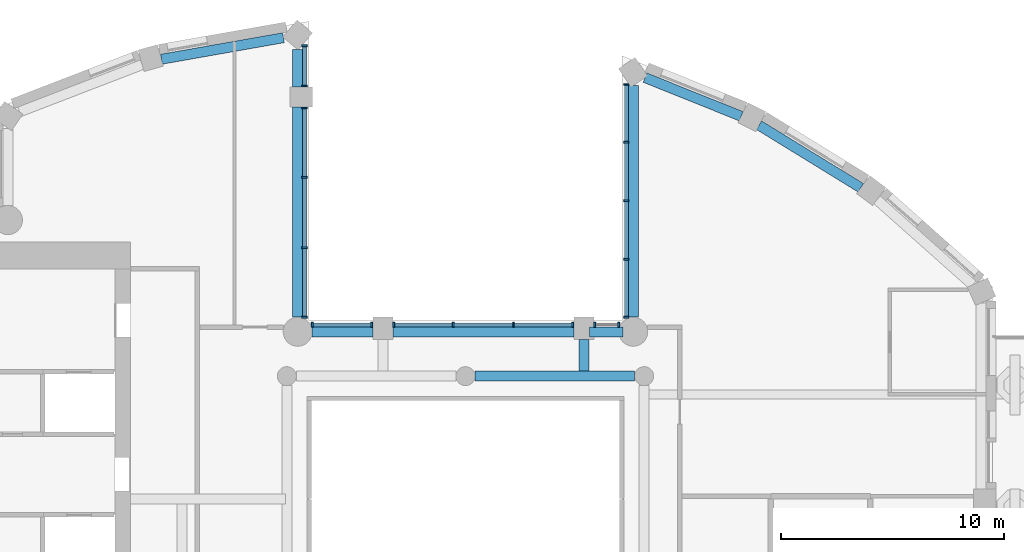
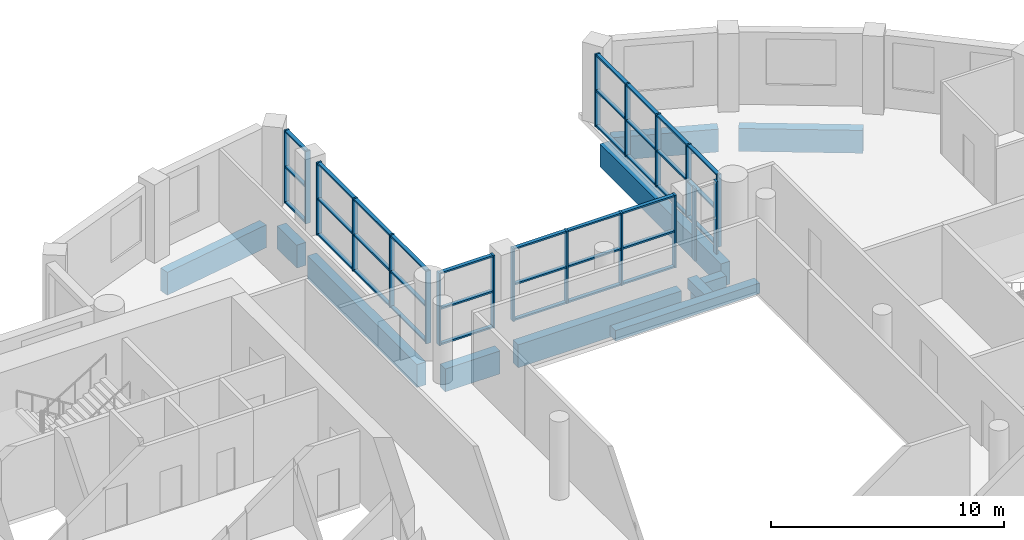
# One storey, part 2 of 15: 55 members, 11 beams, 6 elements without a shape of their own.
"""IFC4 building model written with IfcOpenShell, lengths in metres."""

import ifcopenshell
import ifcopenshell.guid

model = None  # the IFC model being written
_history = None  # IfcOwnerHistory: only IFC2X3 demands one
_inside = {}  # id of a spatial element -> (the spatial element, [elements in it])
_under = {}  # id of a project, library or spatial element -> (it, [spatial elements below it])
_declared = {}  # id of a project -> (the project, [libraries it declares])
_typed = {}  # id of a type object -> (the type object, [elements of that type])
_made_of = {}  # id of a material, layer set ... -> (it, [elements and type objects made of it])


def new_model(schema):
    """Start an empty IFC model of exactly this schema.

    Asked for "IFC4X3", IfcOpenShell would pick the latest addendum, in which some entities
    have other attributes; the version numbers below select the first issue.
    IFC2X3 requires an IfcOwnerHistory on every rooted entity: one is made here for all.
    """
    global model, _history
    if schema == "IFC4X3":
        model = ifcopenshell.file(schema_version=(4, 3, 0, 0))
    else:
        model = ifcopenshell.file(schema=schema)
    _inside.clear()
    _under.clear()
    _declared.clear()
    _typed.clear()
    _made_of.clear()
    _history = None
    if model.schema == "IFC2X3":
        org = make("IfcOrganization", Name="unknown")
        user = make(
            "IfcPersonAndOrganization",
            ThePerson=make("IfcPerson", FamilyName="unknown"),
            TheOrganization=org,
        )
        app = make(
            "IfcApplication",
            ApplicationDeveloper=org,
            Version="unknown",
            ApplicationFullName="unknown",
            ApplicationIdentifier="unknown",
        )
        _history = make(
            "IfcOwnerHistory",
            OwningUser=user,
            OwningApplication=app,
            ChangeAction="ADDED",
            CreationDate=0,
        )
    return model


def make(cls, **values):
    """One entity of the class cls with the attributes given. An attribute that is None is left unset."""
    return model.create_entity(
        cls, **{name: value for name, value in values.items() if value is not None}
    )


def rooted(cls, **values):
    """An entity with a GlobalId (a new one), such as an element, a storey or a relation."""
    return make(cls, GlobalId=ifcopenshell.guid.new(), OwnerHistory=_history, **values)


def si_unit(unit_type, name, prefix=None):
    """IfcSIUnit, for example si_unit("LENGTHUNIT", "METRE", prefix="MILLI")."""
    return make("IfcSIUnit", UnitType=unit_type, Prefix=prefix, Name=name)


def assignment(units):
    """IfcUnitAssignment: the units of a project."""
    return None if units is None else make("IfcUnitAssignment", Units=units)


def point(xyz):
    """IfcCartesianPoint."""
    return None if xyz is None else make("IfcCartesianPoint", Coordinates=xyz)


def direction(xyz):
    """IfcDirection."""
    return None if xyz is None else make("IfcDirection", DirectionRatios=xyz)


def frame(location, z_axis=None, x_axis=None):
    """IfcAxis2Placement3D, a coordinate frame: its origin and axes. An axis left out is left unset."""
    return make(
        "IfcAxis2Placement3D",
        Location=point(location),
        Axis=direction(z_axis),
        RefDirection=direction(x_axis),
    )


def frame_2d(location, x_axis=None):
    """IfcAxis2Placement2D, a coordinate frame in the plane: its origin and x axis."""
    return make(
        "IfcAxis2Placement2D", Location=point(location), RefDirection=direction(x_axis)
    )


def origin():
    """The frame at (0, 0, 0) with its axes left unset."""
    return frame((0.0, 0.0, 0.0))


def origin_2d():
    """The frame at (0, 0) in the plane with its x axis left unset."""
    return frame_2d((0.0, 0.0))


def place(relative_to, where):
    """IfcLocalPlacement: puts the frame where relative to a parent placement (None: the world)."""
    return make(
        "IfcLocalPlacement", PlacementRelTo=relative_to, RelativePlacement=where
    )


def context(
    kind, dimensions, precision=None, world=None, true_north=None, identifier=None
):
    """IfcGeometricRepresentationContext, for example the 3D "Model" context."""
    return make(
        "IfcGeometricRepresentationContext",
        ContextIdentifier=identifier,
        ContextType=kind,
        CoordinateSpaceDimension=dimensions,
        Precision=precision,
        WorldCoordinateSystem=world,
        TrueNorth=true_north,
    )


def subcontext(parent, identifier, kind, view, scale=None):
    """IfcGeometricRepresentationSubContext, for example "Body" below "Model"."""
    return make(
        "IfcGeometricRepresentationSubContext",
        ContextIdentifier=identifier,
        ContextType=kind,
        ParentContext=parent,
        TargetScale=scale,
        TargetView=view,
    )


def project(units=None, contexts=None):
    """IfcProject with its units and contexts."""
    return rooted(
        "IfcProject",
        Name="project",
        RepresentationContexts=contexts,
        UnitsInContext=assignment(units),
    )


def spatial(cls, under=None, at=None, **own):
    """A site, building, storey or space (cls), placed at a placement, below another one or the project."""
    s = rooted(cls, ObjectPlacement=at, **own)
    if under is not None:
        _under.setdefault(under.id(), (under, []))[1].append(s)
    return s


def profile(cls, at=None, kind="AREA", **sizes):
    """A parametric profile (cls). Its sizes go by their IFC names, for example OverallWidth=200.0."""
    return make(cls, ProfileType=kind, Position=at, **sizes)


def rectangle(**sizes):
    """IfcRectangleProfileDef."""
    return profile("IfcRectangleProfileDef", **sizes)


def extrude(swept, where, along, depth):
    """IfcExtrudedAreaSolid: the profile swept, set in the frame where, extruded along a direction by depth."""
    return make(
        "IfcExtrudedAreaSolid",
        SweptArea=swept,
        Position=where,
        ExtrudedDirection=direction(along),
        Depth=depth,
    )


def shape(context_of_items, identifier, shape_type, items):
    """IfcShapeRepresentation: the items that make up one representation, for example the "Body"."""
    return make(
        "IfcShapeRepresentation",
        ContextOfItems=context_of_items,
        RepresentationIdentifier=identifier,
        RepresentationType=shape_type,
        Items=items,
    )


def material(Name=None, Category=None):
    """IfcMaterial."""
    return make("IfcMaterial", Name=Name, Category=Category)


def material_profile(
    of_material, cross_section, Name=None, Category=None, Priority=None
):
    """IfcMaterialProfile: a cross section and its material."""
    return make(
        "IfcMaterialProfile",
        Name=Name,
        Material=of_material,
        Profile=cross_section,
        Priority=Priority,
        Category=Category,
    )


def profile_set(profiles, Name=None, composite=None):
    """IfcMaterialProfileSet."""
    return make(
        "IfcMaterialProfileSet",
        Name=Name,
        MaterialProfiles=profiles,
        CompositeProfile=composite,
    )


def made_of(thing, what):
    """Note that an element or type object is made of a material, layer set ...; save() writes the relation."""
    if what is not None:
        _made_of.setdefault(what.id(), (what, []))[1].append(thing)
    return thing


def type_object(cls, material=None, **own):
    """A type object (cls), such as IfcWallType, which elements share."""
    return made_of(rooted(cls, **own), material)


def element(
    cls,
    number,
    at=None,
    inside=None,
    cuts=None,
    type_object=None,
    material=None,
    context=None,
    identifier="Body",
    shape_type=None,
    held_by="IfcProductDefinitionShape",
    body=None,
    shapes=None,
    **own,
):
    """One element of the class cls, such as IfcWall. Its Tag is "e" and its number.

    at: its placement. inside: the storey or other place that contains it. cuts: it is an
    opening in that element (IfcRelVoidsElement). A single representation is given by context,
    identifier, shape_type and body (its items); several are given by shapes. held_by: the class
    of the entity that holds the representations. save() writes the other relations.
    """
    e = rooted(cls, Tag="e%d" % number, ObjectPlacement=at, **own)
    if body is not None:
        shapes = [shape(context, identifier, shape_type, body)]
    if shapes is not None:
        e.Representation = make(held_by, Representations=shapes)
    if inside is not None:
        _inside.setdefault(inside.id(), (inside, []))[1].append(e)
    if cuts is not None:
        rooted(
            "IfcRelVoidsElement", RelatingBuildingElement=cuts, RelatedOpeningElement=e
        )
    if type_object is not None:
        _typed.setdefault(type_object.id(), (type_object, []))[1].append(e)
    return made_of(e, material)


def aggregate(whole, parts):
    """IfcRelAggregates: a whole, such as a stair, and the parts it consists of."""
    return rooted("IfcRelAggregates", RelatingObject=whole, RelatedObjects=parts)


def save(model, path):
    """Write the relations noted so far, then the file.

    IfcRelAggregates (storeys below a building ...), IfcRelContainedInSpatialStructure (elements
    in a storey), IfcRelDefinesByType, IfcRelAssociatesMaterial and IfcRelDeclares: one each for
    every whole, place, type object, material and project.
    """
    for whole, parts in _under.values():
        aggregate(whole, parts)
    for where, things in _inside.values():
        rooted(
            "IfcRelContainedInSpatialStructure",
            RelatedElements=things,
            RelatingStructure=where,
        )
    for kind, things in _typed.values():
        rooted("IfcRelDefinesByType", RelatedObjects=things, RelatingType=kind)
    for what, things in _made_of.values():
        rooted("IfcRelAssociatesMaterial", RelatedObjects=things, RelatingMaterial=what)
    for by, libraries in _declared.values():
        rooted("IfcRelDeclares", RelatingContext=by, RelatedDefinitions=libraries)
    model.write(path)


model = new_model("IFC4")

# Units and contexts
model_context = context("Model", 3, precision=1e-05, world=origin(), true_north=direction((0.0, 1.0)))
body_context = subcontext(model_context, "Body", "Model", "MODEL_VIEW")
ifc_project = project(units=[si_unit("LENGTHUNIT", "METRE"), si_unit("AREAUNIT", "SQUARE_METRE"), si_unit("VOLUMEUNIT", "CUBIC_METRE"), si_unit("PLANEANGLEUNIT", "RADIAN"), si_unit("MASSUNIT", "GRAM", prefix="KILO")], contexts=[model_context])

# Site, building, storey
site_placement = place(None, origin())
site = spatial("IfcSite", under=ifc_project, at=site_placement, CompositionType="ELEMENT")
building_placement = place(site_placement, origin())
building = spatial("IfcBuilding", under=site, at=building_placement, Name="Cypress Arch Tower", CompositionType="ELEMENT")
storey_placement = place(building_placement, frame((0.0, 0.0, 292.60009765625)))
storey = spatial("IfcBuildingStorey", under=building, at=storey_placement, Name="L66", CompositionType="ELEMENT", Elevation=292.60009765625)

# Beams
ifc_material_1 = material(Name="Concrete C50/60", Category="concrete")
ifc_material_profile_1 = material_profile(ifc_material_1, rectangle(XDim=0.449951171875, YDim=0.550048828125, at=origin_2d()), Name="RC 450x550")
ifc_profile_set_1 = profile_set([ifc_material_profile_1], Name="Concrete C50/60")
beam_type_1 = type_object("IfcBeamType", Name="Floor beam RC 450x550 Concrete C50/60", PredefinedType="BEAM", material=ifc_profile_set_1)
beam_1_placement = place(storey_placement, frame((1.425048828125, 10.0, -0.5751953125), z_axis=(1.0, 0.0, 0.0), x_axis=(0.0, 1.0, 0.0)))
element("IfcBeam", 1, at=beam_1_placement, inside=storey, type_object=beam_type_1, Name="Floor beam L66 RB008", PredefinedType="BEAM", context=body_context, shape_type="SweptSolid", body=[
    extrude(rectangle(XDim=0.449951171875, YDim=0.550048828125, at=origin_2d()), origin(), (0.0, 0.0, 1.0), 7.14990234375),
])
beam_2_placement = place(storey_placement, frame((6.300048828125, 10.22509765625, -0.5751953125), z_axis=(0.0, 1.0, 0.0), x_axis=(-1.0, 0.0, 0.0)))
element("IfcBeam", 2, at=beam_2_placement, inside=storey, type_object=beam_type_1, Name="Floor beam L66 FB013", PredefinedType="BEAM", context=body_context, shape_type="SweptSolid", body=[
    extrude(rectangle(XDim=0.449951171875, YDim=0.550048828125, at=origin_2d()), origin(), (0.0, 0.0, 1.0), 1.4248046875),
])

# Curtain wall, members
ifc_material_2 = material(Name="Anodised aluminium, bronze finish, clear laminated double glazing", Category="aluminium")
curtain_wall_type = type_object("IfcCurtainWallType", Name="Curtain wall CW7 slot glazing", PredefinedType="NOTDEFINED", material=ifc_material_2)
curtain_wall_1_placement = place(storey_placement, origin())
curtain_wall_1 = element("IfcCurtainWall", 3, at=curtain_wall_1_placement, inside=storey, type_object=curtain_wall_type, Name="Curtain wall L66 slot C00.0", PredefinedType="NOTDEFINED")
ifc_material_3 = material(Name="Anodised aluminium, bronze finish", Category="aluminium")
ifc_material_profile_2 = material_profile(ifc_material_3, rectangle(XDim=0.239990234375, YDim=0.0849609375, at=origin_2d()), Name="Mullion 85x240")
ifc_profile_set_2 = profile_set([ifc_material_profile_2], Name="Anodised aluminium, bronze finish")
member_type_1 = type_object("IfcMemberType", Name="Mullion CW7 85x240", PredefinedType="MULLION", material=ifc_profile_set_2)
member_1_placement = place(storey_placement, frame((8.199951171875, 23.060302734375, 0.0), z_axis=(0.0, 0.0, 1.0), x_axis=(1.0, 0.0, 0.0)))
member_1 = element("IfcMember", 4, at=member_1_placement, type_object=member_type_1, Name="CW7 mullion 1", PredefinedType="MULLION", context=body_context, shape_type="SweptSolid", body=[
    extrude(rectangle(XDim=0.239990234375, YDim=0.0849609375, at=origin_2d()), origin(), (0.0, 0.0, 1.0), 3.7998046875),
])
member_2_placement = place(storey_placement, frame((8.199951171875, 20.477294921875, 0.0), z_axis=(0.0, 0.0, 1.0), x_axis=(1.0, 0.0, 0.0)))
member_2 = element("IfcMember", 5, at=member_2_placement, type_object=member_type_1, Name="CW7 mullion 2", PredefinedType="MULLION", context=body_context, shape_type="SweptSolid", body=[
    extrude(rectangle(XDim=0.239990234375, YDim=0.0849609375, at=origin_2d()), origin(), (0.0, 0.0, 1.0), 3.7998046875),
])
member_3_placement = place(storey_placement, frame((8.199951171875, 17.85205078125, 0.0), z_axis=(0.0, 0.0, 1.0), x_axis=(1.0, 0.0, 0.0)))
member_3 = element("IfcMember", 6, at=member_3_placement, type_object=member_type_1, Name="CW7 mullion 3", PredefinedType="MULLION", context=body_context, shape_type="SweptSolid", body=[
    extrude(rectangle(XDim=0.239990234375, YDim=0.0849609375, at=origin_2d()), origin(), (0.0, 0.0, 1.0), 3.7998046875),
])
member_4_placement = place(storey_placement, frame((8.199951171875, 15.226806640625, 0.0), z_axis=(0.0, 0.0, 1.0), x_axis=(1.0, 0.0, 0.0)))
member_4 = element("IfcMember", 7, at=member_4_placement, type_object=member_type_1, Name="CW7 mullion 4", PredefinedType="MULLION", context=body_context, shape_type="SweptSolid", body=[
    extrude(rectangle(XDim=0.239990234375, YDim=0.0849609375, at=origin_2d()), origin(), (0.0, 0.0, 1.0), 3.7998046875),
])
member_5_placement = place(storey_placement, frame((8.199951171875, 12.64404296875, 0.0), z_axis=(0.0, 0.0, 1.0), x_axis=(1.0, 0.0, 0.0)))
member_5 = element("IfcMember", 8, at=member_5_placement, type_object=member_type_1, Name="CW7 mullion 5", PredefinedType="MULLION", context=body_context, shape_type="SweptSolid", body=[
    extrude(rectangle(XDim=0.239990234375, YDim=0.0849609375, at=origin_2d()), origin(), (0.0, 0.0, 1.0), 3.7998046875),
])

curtain_wall_2_placement = place(storey_placement, origin())
curtain_wall_2 = element("IfcCurtainWall", 9, at=curtain_wall_2_placement, inside=storey, type_object=curtain_wall_type, Name="Curtain wall L66 slot C01.0", PredefinedType="NOTDEFINED")
member_6_placement = place(storey_placement, frame((7.85595703125, 12.300048828125, 0.0), z_axis=(0.0, 0.0, 1.0), x_axis=(0.0, -1.0, 0.0)))
member_6 = element("IfcMember", 10, at=member_6_placement, type_object=member_type_1, Name="CW7 mullion 1", PredefinedType="MULLION", context=body_context, shape_type="SweptSolid", body=[
    extrude(rectangle(XDim=0.239990234375, YDim=0.0849609375, at=origin_2d()), origin(), (0.0, 0.0, 1.0), 3.7998046875),
])
member_7_placement = place(storey_placement, frame((6.79248046875, 12.300048828125, 0.0), z_axis=(0.0, 0.0, 1.0), x_axis=(0.0, -1.0, 0.0)))
member_7 = element("IfcMember", 11, at=member_7_placement, type_object=member_type_1, Name="CW7 mullion 2", PredefinedType="MULLION", context=body_context, shape_type="SweptSolid", body=[
    extrude(rectangle(XDim=0.239990234375, YDim=0.0849609375, at=origin_2d()), origin(), (0.0, 0.0, 1.0), 3.7998046875),
])
aggregate(curtain_wall_2, [member_6, member_7])

curtain_wall_3_placement = place(storey_placement, origin())
curtain_wall_3 = element("IfcCurtainWall", 12, at=curtain_wall_3_placement, inside=storey, type_object=curtain_wall_type, Name="Curtain wall L66 slot C01.1", PredefinedType="NOTDEFINED")
member_8_placement = place(storey_placement, frame((5.8076171875, 12.300048828125, 0.0), z_axis=(0.0, 0.0, 1.0), x_axis=(0.0, -1.0, 0.0)))
member_8 = element("IfcMember", 13, at=member_8_placement, type_object=member_type_1, Name="CW7 mullion 1", PredefinedType="MULLION", context=body_context, shape_type="SweptSolid", body=[
    extrude(rectangle(XDim=0.239990234375, YDim=0.0849609375, at=origin_2d()), origin(), (0.0, 0.0, 1.0), 3.7998046875),
])
member_9_placement = place(storey_placement, frame((3.14990234375, 12.300048828125, 0.0), z_axis=(0.0, 0.0, 1.0), x_axis=(0.0, -1.0, 0.0)))
member_9 = element("IfcMember", 14, at=member_9_placement, type_object=member_type_1, Name="CW7 mullion 2", PredefinedType="MULLION", context=body_context, shape_type="SweptSolid", body=[
    extrude(rectangle(XDim=0.239990234375, YDim=0.0849609375, at=origin_2d()), origin(), (0.0, 0.0, 1.0), 3.7998046875),
])
member_10_placement = place(storey_placement, frame((0.449951171875, 12.300048828125, 0.0), z_axis=(0.0, 0.0, 1.0), x_axis=(0.0, -1.0, 0.0)))
member_10 = element("IfcMember", 15, at=member_10_placement, type_object=member_type_1, Name="CW7 mullion 3", PredefinedType="MULLION", context=body_context, shape_type="SweptSolid", body=[
    extrude(rectangle(XDim=0.239990234375, YDim=0.0849609375, at=origin_2d()), origin(), (0.0, 0.0, 1.0), 3.7998046875),
])
member_11_placement = place(storey_placement, frame((-2.20751953125, 12.300048828125, 0.0), z_axis=(0.0, 0.0, 1.0), x_axis=(0.0, -1.0, 0.0)))
member_11 = element("IfcMember", 16, at=member_11_placement, type_object=member_type_1, Name="CW7 mullion 4", PredefinedType="MULLION", context=body_context, shape_type="SweptSolid", body=[
    extrude(rectangle(XDim=0.239990234375, YDim=0.0849609375, at=origin_2d()), origin(), (0.0, 0.0, 1.0), 3.7998046875),
])

curtain_wall_4_placement = place(storey_placement, origin())
curtain_wall_4 = element("IfcCurtainWall", 17, at=curtain_wall_4_placement, inside=storey, type_object=curtain_wall_type, Name="Curtain wall L66 slot C01.2", PredefinedType="NOTDEFINED")
member_12_placement = place(storey_placement, frame((-3.1923828125, 12.300048828125, 0.0), z_axis=(0.0, 0.0, 1.0), x_axis=(0.0, -1.0, 0.0)))
member_12 = element("IfcMember", 18, at=member_12_placement, type_object=member_type_1, Name="CW7 mullion 1", PredefinedType="MULLION", context=body_context, shape_type="SweptSolid", body=[
    extrude(rectangle(XDim=0.239990234375, YDim=0.0849609375, at=origin_2d()), origin(), (0.0, 0.0, 1.0), 3.7998046875),
])
member_13_placement = place(storey_placement, frame((-5.85595703125, 12.300048828125, 0.0), z_axis=(0.0, 0.0, 1.0), x_axis=(0.0, -1.0, 0.0)))
member_13 = element("IfcMember", 19, at=member_13_placement, type_object=member_type_1, Name="CW7 mullion 2", PredefinedType="MULLION", context=body_context, shape_type="SweptSolid", body=[
    extrude(rectangle(XDim=0.239990234375, YDim=0.0849609375, at=origin_2d()), origin(), (0.0, 0.0, 1.0), 3.7998046875),
])

curtain_wall_5_placement = place(storey_placement, origin())
curtain_wall_5 = element("IfcCurtainWall", 20, at=curtain_wall_5_placement, inside=storey, type_object=curtain_wall_type, Name="Curtain wall L66 slot C02.0", PredefinedType="NOTDEFINED")
member_14_placement = place(storey_placement, frame((-6.199951171875, 12.64404296875, 0.0), z_axis=(0.0, 0.0, 1.0), x_axis=(-1.0, 0.0, 0.0)))
member_14 = element("IfcMember", 21, at=member_14_placement, type_object=member_type_1, Name="CW7 mullion 1", PredefinedType="MULLION", context=body_context, shape_type="SweptSolid", body=[
    extrude(rectangle(XDim=0.239990234375, YDim=0.0849609375, at=origin_2d()), origin(), (0.0, 0.0, 1.0), 3.7998046875),
])
member_15_placement = place(storey_placement, frame((-6.199951171875, 15.7509765625, 0.0), z_axis=(0.0, 0.0, 1.0), x_axis=(-1.0, 0.0, 0.0)))
member_15 = element("IfcMember", 22, at=member_15_placement, type_object=member_type_1, Name="CW7 mullion 2", PredefinedType="MULLION", context=body_context, shape_type="SweptSolid", body=[
    extrude(rectangle(XDim=0.239990234375, YDim=0.0849609375, at=origin_2d()), origin(), (0.0, 0.0, 1.0), 3.7998046875),
])
member_16_placement = place(storey_placement, frame((-6.199951171875, 18.900390625, 0.0), z_axis=(0.0, 0.0, 1.0), x_axis=(-1.0, 0.0, 0.0)))
member_16 = element("IfcMember", 23, at=member_16_placement, type_object=member_type_1, Name="CW7 mullion 3", PredefinedType="MULLION", context=body_context, shape_type="SweptSolid", body=[
    extrude(rectangle(XDim=0.239990234375, YDim=0.0849609375, at=origin_2d()), origin(), (0.0, 0.0, 1.0), 3.7998046875),
])
member_17_placement = place(storey_placement, frame((-6.199951171875, 22.007568359375, 0.0), z_axis=(0.0, 0.0, 1.0), x_axis=(-1.0, 0.0, 0.0)))
member_17 = element("IfcMember", 24, at=member_17_placement, type_object=member_type_1, Name="CW7 mullion 4", PredefinedType="MULLION", context=body_context, shape_type="SweptSolid", body=[
    extrude(rectangle(XDim=0.239990234375, YDim=0.0849609375, at=origin_2d()), origin(), (0.0, 0.0, 1.0), 3.7998046875),
])

curtain_wall_6_placement = place(storey_placement, origin())
curtain_wall_6 = element("IfcCurtainWall", 25, at=curtain_wall_6_placement, inside=storey, type_object=curtain_wall_type, Name="Curtain wall L66 slot C02.1", PredefinedType="NOTDEFINED")
member_18_placement = place(storey_placement, frame((-6.199951171875, 22.992431640625, 0.0), z_axis=(0.0, 0.0, 1.0), x_axis=(-1.0, 0.0, 0.0)))
member_18 = element("IfcMember", 26, at=member_18_placement, type_object=member_type_1, Name="CW7 mullion 1", PredefinedType="MULLION", context=body_context, shape_type="SweptSolid", body=[
    extrude(rectangle(XDim=0.239990234375, YDim=0.0849609375, at=origin_2d()), origin(), (0.0, 0.0, 1.0), 3.7998046875),
])
member_19_placement = place(storey_placement, frame((-6.199951171875, 24.789794921875, 0.0), z_axis=(0.0, 0.0, 1.0), x_axis=(-1.0, 0.0, 0.0)))
member_19 = element("IfcMember", 27, at=member_19_placement, type_object=member_type_1, Name="CW7 mullion 2", PredefinedType="MULLION", context=body_context, shape_type="SweptSolid", body=[
    extrude(rectangle(XDim=0.239990234375, YDim=0.0849609375, at=origin_2d()), origin(), (0.0, 0.0, 1.0), 3.7998046875),
])

# Beams
ifc_material_4 = material(Name="Concrete C50/60", Category="concrete")
ifc_material_profile_3 = material_profile(ifc_material_4, rectangle(XDim=0.449951171875, YDim=1.199951171875, at=origin_2d()), Name="RC 450x1200")
ifc_profile_set_3 = profile_set([ifc_material_profile_3], Name="Concrete C50/60")
beam_type_2 = type_object("IfcBeamType", Name="Spandrel beam RC 450x1200 Concrete C50/60", PredefinedType="SPANDREL", material=ifc_profile_set_3)
beam_3_placement = place(storey_placement, frame((8.52490234375, 23.017578125, -1.550048828125), z_axis=(0.0, -1.0, 0.0), x_axis=(1.0, 0.0, 0.0)))
element("IfcBeam", 28, at=beam_3_placement, inside=storey, type_object=beam_type_2, Name="Spandrel beam L66 BC00-0", PredefinedType="SPANDREL", context=body_context, shape_type="SweptSolid", body=[
    extrude(rectangle(XDim=0.449951171875, YDim=1.199951171875, at=origin_2d()), origin(), (0.0, 0.0, 1.0), 10.380126953125),
])
beam_4_placement = place(storey_placement, frame((8.05615234375, 11.97509765625, -1.550048828125), z_axis=(-1.0, 0.0, 0.0), x_axis=(0.0, -1.0, 0.0)))
element("IfcBeam", 29, at=beam_4_placement, inside=storey, type_object=beam_type_2, Name="Spandrel beam L66 BC01-0", PredefinedType="SPANDREL", context=body_context, shape_type="SweptSolid", body=[
    extrude(rectangle(XDim=0.449951171875, YDim=1.199951171875, at=origin_2d()), origin(), (0.0, 0.0, 1.0), 1.5),
])
beam_5_placement = place(storey_placement, frame((5.85009765625, 11.97509765625, -1.550048828125), z_axis=(-1.0, 0.0, 0.0), x_axis=(0.0, -1.0, 0.0)))
element("IfcBeam", 30, at=beam_5_placement, inside=storey, type_object=beam_type_2, Name="Spandrel beam L66 BC01-1", PredefinedType="SPANDREL", context=body_context, shape_type="SweptSolid", body=[
    extrude(rectangle(XDim=0.449951171875, YDim=1.199951171875, at=origin_2d()), origin(), (0.0, 0.0, 1.0), 8.10009765625),
])
beam_6_placement = place(storey_placement, frame((-3.14990234375, 11.97509765625, -1.550048828125), z_axis=(-1.0, 0.0, 0.0), x_axis=(0.0, -1.0, 0.0)))
element("IfcBeam", 31, at=beam_6_placement, inside=storey, type_object=beam_type_2, Name="Spandrel beam L66 BC01-2", PredefinedType="SPANDREL", context=body_context, shape_type="SweptSolid", body=[
    extrude(rectangle(XDim=0.449951171875, YDim=1.199951171875, at=origin_2d()), origin(), (0.0, 0.0, 1.0), 2.712646484375),
])
beam_7_placement = place(storey_placement, frame((-6.52490234375, 12.637451171875, -1.550048828125), z_axis=(0.0, 1.0, 0.0), x_axis=(-1.0, 0.0, 0.0)))
element("IfcBeam", 32, at=beam_7_placement, inside=storey, type_object=beam_type_2, Name="Spandrel beam L66 BC02-0", PredefinedType="SPANDREL", context=body_context, shape_type="SweptSolid", body=[
    extrude(rectangle(XDim=0.449951171875, YDim=1.199951171875, at=origin_2d()), origin(), (0.0, 0.0, 1.0), 9.41259765625),
])
beam_8_placement = place(storey_placement, frame((-6.52490234375, 22.949951171875, -1.550048828125), z_axis=(0.0, 1.0, 0.0), x_axis=(-1.0, 0.0, 0.0)))
element("IfcBeam", 33, at=beam_8_placement, inside=storey, type_object=beam_type_2, Name="Spandrel beam L66 BC02-1", PredefinedType="SPANDREL", context=body_context, shape_type="SweptSolid", body=[
    extrude(rectangle(XDim=0.449951171875, YDim=1.199951171875, at=origin_2d()), origin(), (0.0, 0.0, 1.0), 1.6796875),
])
beam_9_placement = place(storey_placement, frame((-7.14990234375, 25.154052734375, -1.550048828125), z_axis=(-0.984800388539, -0.173689938494, 0.0), x_axis=(0.173689938494, -0.984800388539, 0.0)))
element("IfcBeam", 34, at=beam_9_placement, inside=storey, type_object=beam_type_2, Name="Spandrel beam L66 BC03-0", PredefinedType="SPANDREL", context=body_context, shape_type="SweptSolid", body=[
    extrude(rectangle(XDim=0.449951171875, YDim=1.199951171875, at=origin_2d()), origin(), (0.0, 0.0, 1.0), 5.5478515625),
])
beam_10_placement = place(storey_placement, frame((18.700927734375, 18.43359375, -1.550048828125), z_axis=(-0.851880940975, 0.523735488966, 0.0), x_axis=(-0.523735488966, -0.851880940975, 0.0)))
element("IfcBeam", 35, at=beam_10_placement, inside=storey, type_object=beam_type_2, Name="Spandrel beam L66 BC19-0", PredefinedType="SPANDREL", context=body_context, shape_type="SweptSolid", body=[
    extrude(rectangle(XDim=0.449951171875, YDim=1.199951171875, at=origin_2d()), origin(), (0.0, 0.0, 1.0), 5.344970703125),
])
beam_11_placement = place(storey_placement, frame((13.343994140625, 21.6376953125, -1.550048828125), z_axis=(-0.92793836678, 0.372733668263, 0.0), x_axis=(-0.372733668263, -0.92793836678, 0.0)))
element("IfcBeam", 36, at=beam_11_placement, inside=storey, type_object=beam_type_2, Name="Spandrel beam L66 BC20-0", PredefinedType="SPANDREL", context=body_context, shape_type="SweptSolid", body=[
    extrude(rectangle(XDim=0.449951171875, YDim=1.199951171875, at=origin_2d()), origin(), (0.0, 0.0, 1.0), 4.637451171875),
])

# Member
ifc_material_5 = material(Name="Anodised aluminium, bronze finish", Category="aluminium")
ifc_material_profile_4 = material_profile(ifc_material_5, rectangle(XDim=0.179931640625, YDim=0.0849609375, at=origin_2d()), Name="Transom 85x180")
ifc_profile_set_4 = profile_set([ifc_material_profile_4], Name="Anodised aluminium, bronze finish")
member_type_2 = type_object("IfcMemberType", Name="Transom CW7 85x180", PredefinedType="USERDEFINED", material=ifc_profile_set_4)
member_20_placement = place(storey_placement, frame((8.199951171875, 23.017578125, 0.04248046875), z_axis=(0.0, -1.0, 0.0), x_axis=(1.0, 0.0, 0.0)))
member_20 = element("IfcMember", 37, at=member_20_placement, type_object=member_type_2, Name="CW7 transom 1.1", ObjectType="TRANSOM", PredefinedType="USERDEFINED", context=body_context, shape_type="SweptSolid", body=[
    extrude(rectangle(XDim=0.179931640625, YDim=0.0849609375, at=origin_2d()), origin(), (0.0, 0.0, 1.0), 2.497802734375),
])

member_21_placement = place(storey_placement, frame((8.199951171875, 23.017578125, 1.89990234375), z_axis=(0.0, -1.0, 0.0), x_axis=(1.0, 0.0, 0.0)))
member_21 = element("IfcMember", 38, at=member_21_placement, type_object=member_type_2, Name="CW7 transom 1.2", ObjectType="TRANSOM", PredefinedType="USERDEFINED", context=body_context, shape_type="SweptSolid", body=[
    extrude(rectangle(XDim=0.179931640625, YDim=0.0849609375, at=origin_2d()), origin(), (0.0, 0.0, 1.0), 2.497802734375),
])

member_22_placement = place(storey_placement, frame((8.199951171875, 23.017578125, 3.75732421875), z_axis=(0.0, -1.0, 0.0), x_axis=(1.0, 0.0, 0.0)))
member_22 = element("IfcMember", 39, at=member_22_placement, type_object=member_type_2, Name="CW7 transom 1.3", ObjectType="TRANSOM", PredefinedType="USERDEFINED", context=body_context, shape_type="SweptSolid", body=[
    extrude(rectangle(XDim=0.179931640625, YDim=0.0849609375, at=origin_2d()), origin(), (0.0, 0.0, 1.0), 2.497802734375),
])

member_23_placement = place(storey_placement, frame((8.199951171875, 20.434814453125, 0.04248046875), z_axis=(0.0, -1.0, 0.0), x_axis=(1.0, 0.0, 0.0)))
member_23 = element("IfcMember", 40, at=member_23_placement, type_object=member_type_2, Name="CW7 transom 2.1", ObjectType="TRANSOM", PredefinedType="USERDEFINED", context=body_context, shape_type="SweptSolid", body=[
    extrude(rectangle(XDim=0.179931640625, YDim=0.0849609375, at=origin_2d()), origin(), (0.0, 0.0, 1.0), 2.540283203125),
])

member_24_placement = place(storey_placement, frame((8.199951171875, 20.434814453125, 1.89990234375), z_axis=(0.0, -1.0, 0.0), x_axis=(1.0, 0.0, 0.0)))
member_24 = element("IfcMember", 41, at=member_24_placement, type_object=member_type_2, Name="CW7 transom 2.2", ObjectType="TRANSOM", PredefinedType="USERDEFINED", context=body_context, shape_type="SweptSolid", body=[
    extrude(rectangle(XDim=0.179931640625, YDim=0.0849609375, at=origin_2d()), origin(), (0.0, 0.0, 1.0), 2.540283203125),
])

member_25_placement = place(storey_placement, frame((8.199951171875, 20.434814453125, 3.75732421875), z_axis=(0.0, -1.0, 0.0), x_axis=(1.0, 0.0, 0.0)))
member_25 = element("IfcMember", 42, at=member_25_placement, type_object=member_type_2, Name="CW7 transom 2.3", ObjectType="TRANSOM", PredefinedType="USERDEFINED", context=body_context, shape_type="SweptSolid", body=[
    extrude(rectangle(XDim=0.179931640625, YDim=0.0849609375, at=origin_2d()), origin(), (0.0, 0.0, 1.0), 2.540283203125),
])

member_26_placement = place(storey_placement, frame((8.199951171875, 17.8095703125, 0.04248046875), z_axis=(0.0, -1.0, 0.0), x_axis=(1.0, 0.0, 0.0)))
member_26 = element("IfcMember", 43, at=member_26_placement, type_object=member_type_2, Name="CW7 transom 3.1", ObjectType="TRANSOM", PredefinedType="USERDEFINED", context=body_context, shape_type="SweptSolid", body=[
    extrude(rectangle(XDim=0.179931640625, YDim=0.0849609375, at=origin_2d()), origin(), (0.0, 0.0, 1.0), 2.540283203125),
])

member_27_placement = place(storey_placement, frame((8.199951171875, 17.8095703125, 1.89990234375), z_axis=(0.0, -1.0, 0.0), x_axis=(1.0, 0.0, 0.0)))
member_27 = element("IfcMember", 44, at=member_27_placement, type_object=member_type_2, Name="CW7 transom 3.2", ObjectType="TRANSOM", PredefinedType="USERDEFINED", context=body_context, shape_type="SweptSolid", body=[
    extrude(rectangle(XDim=0.179931640625, YDim=0.0849609375, at=origin_2d()), origin(), (0.0, 0.0, 1.0), 2.540283203125),
])

member_28_placement = place(storey_placement, frame((8.199951171875, 17.8095703125, 3.75732421875), z_axis=(0.0, -1.0, 0.0), x_axis=(1.0, 0.0, 0.0)))
member_28 = element("IfcMember", 45, at=member_28_placement, type_object=member_type_2, Name="CW7 transom 3.3", ObjectType="TRANSOM", PredefinedType="USERDEFINED", context=body_context, shape_type="SweptSolid", body=[
    extrude(rectangle(XDim=0.179931640625, YDim=0.0849609375, at=origin_2d()), origin(), (0.0, 0.0, 1.0), 2.540283203125),
])

member_29_placement = place(storey_placement, frame((8.199951171875, 15.184326171875, 0.04248046875), z_axis=(0.0, -1.0, 0.0), x_axis=(1.0, 0.0, 0.0)))
member_29 = element("IfcMember", 46, at=member_29_placement, type_object=member_type_2, Name="CW7 transom 4.1", ObjectType="TRANSOM", PredefinedType="USERDEFINED", context=body_context, shape_type="SweptSolid", body=[
    extrude(rectangle(XDim=0.179931640625, YDim=0.0849609375, at=origin_2d()), origin(), (0.0, 0.0, 1.0), 2.497802734375),
])

member_30_placement = place(storey_placement, frame((8.199951171875, 15.184326171875, 1.89990234375), z_axis=(0.0, -1.0, 0.0), x_axis=(1.0, 0.0, 0.0)))
member_30 = element("IfcMember", 47, at=member_30_placement, type_object=member_type_2, Name="CW7 transom 4.2", ObjectType="TRANSOM", PredefinedType="USERDEFINED", context=body_context, shape_type="SweptSolid", body=[
    extrude(rectangle(XDim=0.179931640625, YDim=0.0849609375, at=origin_2d()), origin(), (0.0, 0.0, 1.0), 2.497802734375),
])

member_31_placement = place(storey_placement, frame((8.199951171875, 15.184326171875, 3.75732421875), z_axis=(0.0, -1.0, 0.0), x_axis=(1.0, 0.0, 0.0)))
member_31 = element("IfcMember", 48, at=member_31_placement, type_object=member_type_2, Name="CW7 transom 4.3", ObjectType="TRANSOM", PredefinedType="USERDEFINED", context=body_context, shape_type="SweptSolid", body=[
    extrude(rectangle(XDim=0.179931640625, YDim=0.0849609375, at=origin_2d()), origin(), (0.0, 0.0, 1.0), 2.497802734375),
])

aggregate(curtain_wall_1, [member_1, member_2, member_3, member_4, member_5, member_20, member_21, member_22, member_23, member_24, member_25, member_26, member_27, member_28, member_29, member_30, member_31])

member_32_placement = place(storey_placement, frame((5.764892578125, 12.300048828125, 0.04248046875), z_axis=(-1.0, 0.0, 0.0), x_axis=(0.0, -1.0, 0.0)))
member_32 = element("IfcMember", 49, at=member_32_placement, type_object=member_type_2, Name="CW7 transom 1.1", ObjectType="TRANSOM", PredefinedType="USERDEFINED", context=body_context, shape_type="SweptSolid", body=[
    extrude(rectangle(XDim=0.179931640625, YDim=0.0849609375, at=origin_2d()), origin(), (0.0, 0.0, 1.0), 2.572509765625),
])

member_33_placement = place(storey_placement, frame((5.764892578125, 12.300048828125, 1.89990234375), z_axis=(-1.0, 0.0, 0.0), x_axis=(0.0, -1.0, 0.0)))
member_33 = element("IfcMember", 50, at=member_33_placement, type_object=member_type_2, Name="CW7 transom 1.2", ObjectType="TRANSOM", PredefinedType="USERDEFINED", context=body_context, shape_type="SweptSolid", body=[
    extrude(rectangle(XDim=0.179931640625, YDim=0.0849609375, at=origin_2d()), origin(), (0.0, 0.0, 1.0), 2.572509765625),
])

member_34_placement = place(storey_placement, frame((5.764892578125, 12.300048828125, 3.75732421875), z_axis=(-1.0, 0.0, 0.0), x_axis=(0.0, -1.0, 0.0)))
member_34 = element("IfcMember", 51, at=member_34_placement, type_object=member_type_2, Name="CW7 transom 1.3", ObjectType="TRANSOM", PredefinedType="USERDEFINED", context=body_context, shape_type="SweptSolid", body=[
    extrude(rectangle(XDim=0.179931640625, YDim=0.0849609375, at=origin_2d()), origin(), (0.0, 0.0, 1.0), 2.572509765625),
])

member_35_placement = place(storey_placement, frame((3.107421875, 12.300048828125, 0.04248046875), z_axis=(-1.0, 0.0, 0.0), x_axis=(0.0, -1.0, 0.0)))
member_35 = element("IfcMember", 52, at=member_35_placement, type_object=member_type_2, Name="CW7 transom 2.1", ObjectType="TRANSOM", PredefinedType="USERDEFINED", context=body_context, shape_type="SweptSolid", body=[
    extrude(rectangle(XDim=0.179931640625, YDim=0.0849609375, at=origin_2d()), origin(), (0.0, 0.0, 1.0), 2.614990234375),
])

member_36_placement = place(storey_placement, frame((3.107421875, 12.300048828125, 1.89990234375), z_axis=(-1.0, 0.0, 0.0), x_axis=(0.0, -1.0, 0.0)))
member_36 = element("IfcMember", 53, at=member_36_placement, type_object=member_type_2, Name="CW7 transom 2.2", ObjectType="TRANSOM", PredefinedType="USERDEFINED", context=body_context, shape_type="SweptSolid", body=[
    extrude(rectangle(XDim=0.179931640625, YDim=0.0849609375, at=origin_2d()), origin(), (0.0, 0.0, 1.0), 2.614990234375),
])

member_37_placement = place(storey_placement, frame((3.107421875, 12.300048828125, 3.75732421875), z_axis=(-1.0, 0.0, 0.0), x_axis=(0.0, -1.0, 0.0)))
member_37 = element("IfcMember", 54, at=member_37_placement, type_object=member_type_2, Name="CW7 transom 2.3", ObjectType="TRANSOM", PredefinedType="USERDEFINED", context=body_context, shape_type="SweptSolid", body=[
    extrude(rectangle(XDim=0.179931640625, YDim=0.0849609375, at=origin_2d()), origin(), (0.0, 0.0, 1.0), 2.614990234375),
])

member_38_placement = place(storey_placement, frame((0.407470703125, 12.300048828125, 0.04248046875), z_axis=(-1.0, 0.0, 0.0), x_axis=(0.0, -1.0, 0.0)))
member_38 = element("IfcMember", 55, at=member_38_placement, type_object=member_type_2, Name="CW7 transom 3.1", ObjectType="TRANSOM", PredefinedType="USERDEFINED", context=body_context, shape_type="SweptSolid", body=[
    extrude(rectangle(XDim=0.179931640625, YDim=0.0849609375, at=origin_2d()), origin(), (0.0, 0.0, 1.0), 2.572509765625),
])

member_39_placement = place(storey_placement, frame((0.407470703125, 12.300048828125, 1.89990234375), z_axis=(-1.0, 0.0, 0.0), x_axis=(0.0, -1.0, 0.0)))
member_39 = element("IfcMember", 56, at=member_39_placement, type_object=member_type_2, Name="CW7 transom 3.2", ObjectType="TRANSOM", PredefinedType="USERDEFINED", context=body_context, shape_type="SweptSolid", body=[
    extrude(rectangle(XDim=0.179931640625, YDim=0.0849609375, at=origin_2d()), origin(), (0.0, 0.0, 1.0), 2.572509765625),
])

member_40_placement = place(storey_placement, frame((0.407470703125, 12.300048828125, 3.75732421875), z_axis=(-1.0, 0.0, 0.0), x_axis=(0.0, -1.0, 0.0)))
member_40 = element("IfcMember", 57, at=member_40_placement, type_object=member_type_2, Name="CW7 transom 3.3", ObjectType="TRANSOM", PredefinedType="USERDEFINED", context=body_context, shape_type="SweptSolid", body=[
    extrude(rectangle(XDim=0.179931640625, YDim=0.0849609375, at=origin_2d()), origin(), (0.0, 0.0, 1.0), 2.572509765625),
])

aggregate(curtain_wall_3, [member_8, member_9, member_10, member_11, member_32, member_33, member_34, member_35, member_36, member_37, member_38, member_39, member_40])

member_41_placement = place(storey_placement, frame((-3.235107421875, 12.300048828125, 0.04248046875), z_axis=(-1.0, 0.0, 0.0), x_axis=(0.0, -1.0, 0.0)))
member_41 = element("IfcMember", 58, at=member_41_placement, type_object=member_type_2, Name="CW7 transom 1.1", ObjectType="TRANSOM", PredefinedType="USERDEFINED", context=body_context, shape_type="SweptSolid", body=[
    extrude(rectangle(XDim=0.179931640625, YDim=0.0849609375, at=origin_2d()), origin(), (0.0, 0.0, 1.0), 2.578369140625),
])

member_42_placement = place(storey_placement, frame((-3.235107421875, 12.300048828125, 1.89990234375), z_axis=(-1.0, 0.0, 0.0), x_axis=(0.0, -1.0, 0.0)))
member_42 = element("IfcMember", 59, at=member_42_placement, type_object=member_type_2, Name="CW7 transom 1.2", ObjectType="TRANSOM", PredefinedType="USERDEFINED", context=body_context, shape_type="SweptSolid", body=[
    extrude(rectangle(XDim=0.179931640625, YDim=0.0849609375, at=origin_2d()), origin(), (0.0, 0.0, 1.0), 2.578369140625),
])

member_43_placement = place(storey_placement, frame((-3.235107421875, 12.300048828125, 3.75732421875), z_axis=(-1.0, 0.0, 0.0), x_axis=(0.0, -1.0, 0.0)))
member_43 = element("IfcMember", 60, at=member_43_placement, type_object=member_type_2, Name="CW7 transom 1.3", ObjectType="TRANSOM", PredefinedType="USERDEFINED", context=body_context, shape_type="SweptSolid", body=[
    extrude(rectangle(XDim=0.179931640625, YDim=0.0849609375, at=origin_2d()), origin(), (0.0, 0.0, 1.0), 2.578369140625),
])

aggregate(curtain_wall_4, [member_12, member_13, member_41, member_42, member_43])

member_44_placement = place(storey_placement, frame((-6.199951171875, 12.6865234375, 0.04248046875), z_axis=(0.0, 1.0, 0.0), x_axis=(-1.0, 0.0, 0.0)))
member_44 = element("IfcMember", 61, at=member_44_placement, type_object=member_type_2, Name="CW7 transom 1.1", ObjectType="TRANSOM", PredefinedType="USERDEFINED", context=body_context, shape_type="SweptSolid", body=[
    extrude(rectangle(XDim=0.179931640625, YDim=0.0849609375, at=origin_2d()), origin(), (0.0, 0.0, 1.0), 3.02197265625),
])

member_45_placement = place(storey_placement, frame((-6.199951171875, 12.6865234375, 1.89990234375), z_axis=(0.0, 1.0, 0.0), x_axis=(-1.0, 0.0, 0.0)))
member_45 = element("IfcMember", 62, at=member_45_placement, type_object=member_type_2, Name="CW7 transom 1.2", ObjectType="TRANSOM", PredefinedType="USERDEFINED", context=body_context, shape_type="SweptSolid", body=[
    extrude(rectangle(XDim=0.179931640625, YDim=0.0849609375, at=origin_2d()), origin(), (0.0, 0.0, 1.0), 3.02197265625),
])

member_46_placement = place(storey_placement, frame((-6.199951171875, 12.6865234375, 3.75732421875), z_axis=(0.0, 1.0, 0.0), x_axis=(-1.0, 0.0, 0.0)))
member_46 = element("IfcMember", 63, at=member_46_placement, type_object=member_type_2, Name="CW7 transom 1.3", ObjectType="TRANSOM", PredefinedType="USERDEFINED", context=body_context, shape_type="SweptSolid", body=[
    extrude(rectangle(XDim=0.179931640625, YDim=0.0849609375, at=origin_2d()), origin(), (0.0, 0.0, 1.0), 3.02197265625),
])

member_47_placement = place(storey_placement, frame((-6.199951171875, 15.79345703125, 0.04248046875), z_axis=(0.0, 1.0, 0.0), x_axis=(-1.0, 0.0, 0.0)))
member_47 = element("IfcMember", 64, at=member_47_placement, type_object=member_type_2, Name="CW7 transom 2.1", ObjectType="TRANSOM", PredefinedType="USERDEFINED", context=body_context, shape_type="SweptSolid", body=[
    extrude(rectangle(XDim=0.179931640625, YDim=0.0849609375, at=origin_2d()), origin(), (0.0, 0.0, 1.0), 3.064453125),
])

member_48_placement = place(storey_placement, frame((-6.199951171875, 15.79345703125, 1.89990234375), z_axis=(0.0, 1.0, 0.0), x_axis=(-1.0, 0.0, 0.0)))
member_48 = element("IfcMember", 65, at=member_48_placement, type_object=member_type_2, Name="CW7 transom 2.2", ObjectType="TRANSOM", PredefinedType="USERDEFINED", context=body_context, shape_type="SweptSolid", body=[
    extrude(rectangle(XDim=0.179931640625, YDim=0.0849609375, at=origin_2d()), origin(), (0.0, 0.0, 1.0), 3.064453125),
])

member_49_placement = place(storey_placement, frame((-6.199951171875, 15.79345703125, 3.75732421875), z_axis=(0.0, 1.0, 0.0), x_axis=(-1.0, 0.0, 0.0)))
member_49 = element("IfcMember", 66, at=member_49_placement, type_object=member_type_2, Name="CW7 transom 2.3", ObjectType="TRANSOM", PredefinedType="USERDEFINED", context=body_context, shape_type="SweptSolid", body=[
    extrude(rectangle(XDim=0.179931640625, YDim=0.0849609375, at=origin_2d()), origin(), (0.0, 0.0, 1.0), 3.064453125),
])

member_50_placement = place(storey_placement, frame((-6.199951171875, 18.943115234375, 0.04248046875), z_axis=(0.0, 1.0, 0.0), x_axis=(-1.0, 0.0, 0.0)))
member_50 = element("IfcMember", 67, at=member_50_placement, type_object=member_type_2, Name="CW7 transom 3.1", ObjectType="TRANSOM", PredefinedType="USERDEFINED", context=body_context, shape_type="SweptSolid", body=[
    extrude(rectangle(XDim=0.179931640625, YDim=0.0849609375, at=origin_2d()), origin(), (0.0, 0.0, 1.0), 3.02197265625),
])

member_51_placement = place(storey_placement, frame((-6.199951171875, 18.943115234375, 1.89990234375), z_axis=(0.0, 1.0, 0.0), x_axis=(-1.0, 0.0, 0.0)))
member_51 = element("IfcMember", 68, at=member_51_placement, type_object=member_type_2, Name="CW7 transom 3.2", ObjectType="TRANSOM", PredefinedType="USERDEFINED", context=body_context, shape_type="SweptSolid", body=[
    extrude(rectangle(XDim=0.179931640625, YDim=0.0849609375, at=origin_2d()), origin(), (0.0, 0.0, 1.0), 3.02197265625),
])

member_52_placement = place(storey_placement, frame((-6.199951171875, 18.943115234375, 3.75732421875), z_axis=(0.0, 1.0, 0.0), x_axis=(-1.0, 0.0, 0.0)))
member_52 = element("IfcMember", 69, at=member_52_placement, type_object=member_type_2, Name="CW7 transom 3.3", ObjectType="TRANSOM", PredefinedType="USERDEFINED", context=body_context, shape_type="SweptSolid", body=[
    extrude(rectangle(XDim=0.179931640625, YDim=0.0849609375, at=origin_2d()), origin(), (0.0, 0.0, 1.0), 3.02197265625),
])

aggregate(curtain_wall_5, [member_14, member_15, member_16, member_17, member_44, member_45, member_46, member_47, member_48, member_49, member_50, member_51, member_52])

member_53_placement = place(storey_placement, frame((-6.199951171875, 23.034912109375, 0.04248046875), z_axis=(0.0, 1.0, 0.0), x_axis=(-1.0, 0.0, 0.0)))
member_53 = element("IfcMember", 70, at=member_53_placement, type_object=member_type_2, Name="CW7 transom 1.1", ObjectType="TRANSOM", PredefinedType="USERDEFINED", context=body_context, shape_type="SweptSolid", body=[
    extrude(rectangle(XDim=0.179931640625, YDim=0.0849609375, at=origin_2d()), origin(), (0.0, 0.0, 1.0), 1.71240234375),
])

member_54_placement = place(storey_placement, frame((-6.199951171875, 23.034912109375, 1.89990234375), z_axis=(0.0, 1.0, 0.0), x_axis=(-1.0, 0.0, 0.0)))
member_54 = element("IfcMember", 71, at=member_54_placement, type_object=member_type_2, Name="CW7 transom 1.2", ObjectType="TRANSOM", PredefinedType="USERDEFINED", context=body_context, shape_type="SweptSolid", body=[
    extrude(rectangle(XDim=0.179931640625, YDim=0.0849609375, at=origin_2d()), origin(), (0.0, 0.0, 1.0), 1.71240234375),
])

member_55_placement = place(storey_placement, frame((-6.199951171875, 23.034912109375, 3.75732421875), z_axis=(0.0, 1.0, 0.0), x_axis=(-1.0, 0.0, 0.0)))
member_55 = element("IfcMember", 72, at=member_55_placement, type_object=member_type_2, Name="CW7 transom 1.3", ObjectType="TRANSOM", PredefinedType="USERDEFINED", context=body_context, shape_type="SweptSolid", body=[
    extrude(rectangle(XDim=0.179931640625, YDim=0.0849609375, at=origin_2d()), origin(), (0.0, 0.0, 1.0), 1.71240234375),
])

aggregate(curtain_wall_6, [member_18, member_19, member_53, member_54, member_55])

save(model, "model.ifc")
